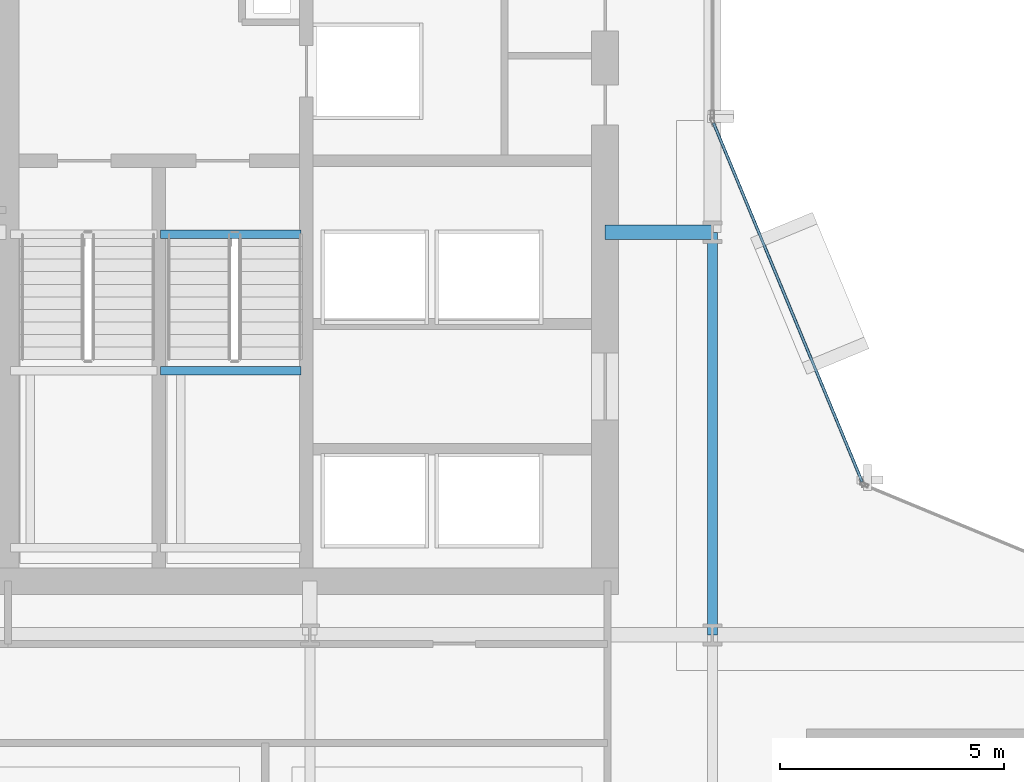
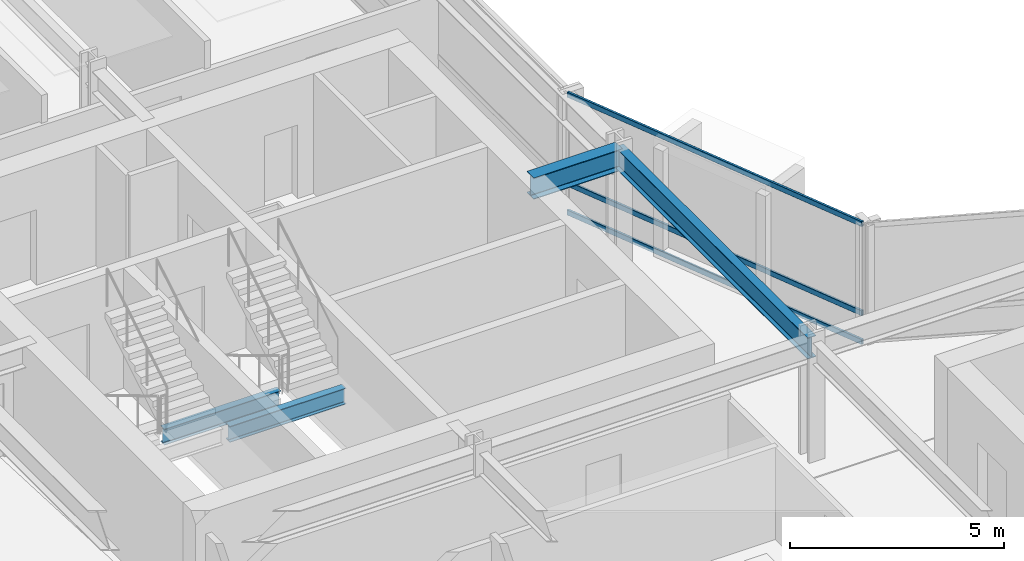
# One storey, part 20 of 34: 4 beams, 3 members, 1 element without a shape of its own.
"""IFC4 building model written with IfcOpenShell, lengths in metres."""

import ifcopenshell
import ifcopenshell.guid

model = None  # the IFC model being written
_history = None  # IfcOwnerHistory: only IFC2X3 demands one
_inside = {}  # id of a spatial element -> (the spatial element, [elements in it])
_under = {}  # id of a project, library or spatial element -> (it, [spatial elements below it])
_declared = {}  # id of a project -> (the project, [libraries it declares])
_typed = {}  # id of a type object -> (the type object, [elements of that type])
_made_of = {}  # id of a material, layer set ... -> (it, [elements and type objects made of it])


def new_model(schema):
    """Start an empty IFC model of exactly this schema.

    Asked for "IFC4X3", IfcOpenShell would pick the latest addendum, in which some entities
    have other attributes; the version numbers below select the first issue.
    IFC2X3 requires an IfcOwnerHistory on every rooted entity: one is made here for all.
    """
    global model, _history
    if schema == "IFC4X3":
        model = ifcopenshell.file(schema_version=(4, 3, 0, 0))
    else:
        model = ifcopenshell.file(schema=schema)
    _inside.clear()
    _under.clear()
    _declared.clear()
    _typed.clear()
    _made_of.clear()
    _history = None
    if model.schema == "IFC2X3":
        org = make("IfcOrganization", Name="unknown")
        user = make(
            "IfcPersonAndOrganization",
            ThePerson=make("IfcPerson", FamilyName="unknown"),
            TheOrganization=org,
        )
        app = make(
            "IfcApplication",
            ApplicationDeveloper=org,
            Version="unknown",
            ApplicationFullName="unknown",
            ApplicationIdentifier="unknown",
        )
        _history = make(
            "IfcOwnerHistory",
            OwningUser=user,
            OwningApplication=app,
            ChangeAction="ADDED",
            CreationDate=0,
        )
    return model


def make(cls, **values):
    """One entity of the class cls with the attributes given. An attribute that is None is left unset."""
    return model.create_entity(
        cls, **{name: value for name, value in values.items() if value is not None}
    )


def rooted(cls, **values):
    """An entity with a GlobalId (a new one), such as an element, a storey or a relation."""
    return make(cls, GlobalId=ifcopenshell.guid.new(), OwnerHistory=_history, **values)


def si_unit(unit_type, name, prefix=None):
    """IfcSIUnit, for example si_unit("LENGTHUNIT", "METRE", prefix="MILLI")."""
    return make("IfcSIUnit", UnitType=unit_type, Prefix=prefix, Name=name)


def assignment(units):
    """IfcUnitAssignment: the units of a project."""
    return None if units is None else make("IfcUnitAssignment", Units=units)


def point(xyz):
    """IfcCartesianPoint."""
    return None if xyz is None else make("IfcCartesianPoint", Coordinates=xyz)


def direction(xyz):
    """IfcDirection."""
    return None if xyz is None else make("IfcDirection", DirectionRatios=xyz)


def frame(location, z_axis=None, x_axis=None):
    """IfcAxis2Placement3D, a coordinate frame: its origin and axes. An axis left out is left unset."""
    return make(
        "IfcAxis2Placement3D",
        Location=point(location),
        Axis=direction(z_axis),
        RefDirection=direction(x_axis),
    )


def frame_2d(location, x_axis=None):
    """IfcAxis2Placement2D, a coordinate frame in the plane: its origin and x axis."""
    return make(
        "IfcAxis2Placement2D", Location=point(location), RefDirection=direction(x_axis)
    )


def origin():
    """The frame at (0, 0, 0) with its axes left unset."""
    return frame((0.0, 0.0, 0.0))


def origin_2d():
    """The frame at (0, 0) in the plane with its x axis left unset."""
    return frame_2d((0.0, 0.0))


def place(relative_to, where):
    """IfcLocalPlacement: puts the frame where relative to a parent placement (None: the world)."""
    return make(
        "IfcLocalPlacement", PlacementRelTo=relative_to, RelativePlacement=where
    )


def context(
    kind, dimensions, precision=None, world=None, true_north=None, identifier=None
):
    """IfcGeometricRepresentationContext, for example the 3D "Model" context."""
    return make(
        "IfcGeometricRepresentationContext",
        ContextIdentifier=identifier,
        ContextType=kind,
        CoordinateSpaceDimension=dimensions,
        Precision=precision,
        WorldCoordinateSystem=world,
        TrueNorth=true_north,
    )


def subcontext(parent, identifier, kind, view, scale=None):
    """IfcGeometricRepresentationSubContext, for example "Body" below "Model"."""
    return make(
        "IfcGeometricRepresentationSubContext",
        ContextIdentifier=identifier,
        ContextType=kind,
        ParentContext=parent,
        TargetScale=scale,
        TargetView=view,
    )


def project(units=None, contexts=None):
    """IfcProject with its units and contexts."""
    return rooted(
        "IfcProject",
        Name="project",
        RepresentationContexts=contexts,
        UnitsInContext=assignment(units),
    )


def spatial(cls, under=None, at=None, **own):
    """A site, building, storey or space (cls), placed at a placement, below another one or the project."""
    s = rooted(cls, ObjectPlacement=at, **own)
    if under is not None:
        _under.setdefault(under.id(), (under, []))[1].append(s)
    return s


def profile(cls, at=None, kind="AREA", **sizes):
    """A parametric profile (cls). Its sizes go by their IFC names, for example OverallWidth=200.0."""
    return make(cls, ProfileType=kind, Position=at, **sizes)


def hollow_rectangle(**sizes):
    """IfcRectangleHollowProfileDef."""
    return profile("IfcRectangleHollowProfileDef", **sizes)


def i_section(**sizes):
    """IfcIShapeProfileDef."""
    return profile("IfcIShapeProfileDef", **sizes)


def extrude(swept, where, along, depth):
    """IfcExtrudedAreaSolid: the profile swept, set in the frame where, extruded along a direction by depth."""
    return make(
        "IfcExtrudedAreaSolid",
        SweptArea=swept,
        Position=where,
        ExtrudedDirection=direction(along),
        Depth=depth,
    )


def shape(context_of_items, identifier, shape_type, items):
    """IfcShapeRepresentation: the items that make up one representation, for example the "Body"."""
    return make(
        "IfcShapeRepresentation",
        ContextOfItems=context_of_items,
        RepresentationIdentifier=identifier,
        RepresentationType=shape_type,
        Items=items,
    )


def material(Name=None, Category=None):
    """IfcMaterial."""
    return make("IfcMaterial", Name=Name, Category=Category)


def layer(
    of_material, thickness, ventilated=None, Name=None, Category=None, Priority=None
):
    """IfcMaterialLayer: one layer of a wall or slab, of a material (None: an air gap)."""
    return make(
        "IfcMaterialLayer",
        Material=of_material,
        LayerThickness=thickness,
        IsVentilated=ventilated,
        Name=Name,
        Category=Category,
        Priority=Priority,
    )


def layer_set(layers, Name=None):
    """IfcMaterialLayerSet."""
    return make("IfcMaterialLayerSet", MaterialLayers=layers, LayerSetName=Name)


def material_profile(
    of_material, cross_section, Name=None, Category=None, Priority=None
):
    """IfcMaterialProfile: a cross section and its material."""
    return make(
        "IfcMaterialProfile",
        Name=Name,
        Material=of_material,
        Profile=cross_section,
        Priority=Priority,
        Category=Category,
    )


def profile_set(profiles, Name=None, composite=None):
    """IfcMaterialProfileSet."""
    return make(
        "IfcMaterialProfileSet",
        Name=Name,
        MaterialProfiles=profiles,
        CompositeProfile=composite,
    )


def made_of(thing, what):
    """Note that an element or type object is made of a material, layer set ...; save() writes the relation."""
    if what is not None:
        _made_of.setdefault(what.id(), (what, []))[1].append(thing)
    return thing


def type_object(cls, material=None, **own):
    """A type object (cls), such as IfcWallType, which elements share."""
    return made_of(rooted(cls, **own), material)


def element(
    cls,
    number,
    at=None,
    inside=None,
    cuts=None,
    type_object=None,
    material=None,
    context=None,
    identifier="Body",
    shape_type=None,
    held_by="IfcProductDefinitionShape",
    body=None,
    shapes=None,
    **own,
):
    """One element of the class cls, such as IfcWall. Its Tag is "e" and its number.

    at: its placement. inside: the storey or other place that contains it. cuts: it is an
    opening in that element (IfcRelVoidsElement). A single representation is given by context,
    identifier, shape_type and body (its items); several are given by shapes. held_by: the class
    of the entity that holds the representations. save() writes the other relations.
    """
    e = rooted(cls, Tag="e%d" % number, ObjectPlacement=at, **own)
    if body is not None:
        shapes = [shape(context, identifier, shape_type, body)]
    if shapes is not None:
        e.Representation = make(held_by, Representations=shapes)
    if inside is not None:
        _inside.setdefault(inside.id(), (inside, []))[1].append(e)
    if cuts is not None:
        rooted(
            "IfcRelVoidsElement", RelatingBuildingElement=cuts, RelatedOpeningElement=e
        )
    if type_object is not None:
        _typed.setdefault(type_object.id(), (type_object, []))[1].append(e)
    return made_of(e, material)


def aggregate(whole, parts):
    """IfcRelAggregates: a whole, such as a stair, and the parts it consists of."""
    return rooted("IfcRelAggregates", RelatingObject=whole, RelatedObjects=parts)


def save(model, path):
    """Write the relations noted so far, then the file.

    IfcRelAggregates (storeys below a building ...), IfcRelContainedInSpatialStructure (elements
    in a storey), IfcRelDefinesByType, IfcRelAssociatesMaterial and IfcRelDeclares: one each for
    every whole, place, type object, material and project.
    """
    for whole, parts in _under.values():
        aggregate(whole, parts)
    for where, things in _inside.values():
        rooted(
            "IfcRelContainedInSpatialStructure",
            RelatedElements=things,
            RelatingStructure=where,
        )
    for kind, things in _typed.values():
        rooted("IfcRelDefinesByType", RelatedObjects=things, RelatingType=kind)
    for what, things in _made_of.values():
        rooted("IfcRelAssociatesMaterial", RelatedObjects=things, RelatingMaterial=what)
    for by, libraries in _declared.values():
        rooted("IfcRelDeclares", RelatingContext=by, RelatedDefinitions=libraries)
    model.write(path)


model = new_model("IFC4")

# Units and contexts
model_context = context("Model", 3, precision=1e-05, world=origin(), true_north=direction((0.0, 1.0)))
body_context = subcontext(model_context, "Body", "Model", "MODEL_VIEW")
ifc_project = project(units=[si_unit("LENGTHUNIT", "METRE"), si_unit("AREAUNIT", "SQUARE_METRE"), si_unit("VOLUMEUNIT", "CUBIC_METRE"), si_unit("PLANEANGLEUNIT", "RADIAN"), si_unit("MASSUNIT", "GRAM", prefix="KILO")], contexts=[model_context])

# Site, building, storey
site_placement = place(None, origin())
site = spatial("IfcSite", under=ifc_project, at=site_placement, CompositionType="ELEMENT")
building_placement = place(site_placement, origin())
building = spatial("IfcBuilding", under=site, at=building_placement, Name="Solvaryn Broadcast Tower", CompositionType="ELEMENT")
storey_placement = place(building_placement, frame((0.0, 0.0, 50.800048828125)))
storey = spatial("IfcBuildingStorey", under=building, at=storey_placement, Name="L11", CompositionType="ELEMENT", Elevation=50.800048828125)

# Beams
ifc_material_1 = material(Name="Steel ASTM A992 Grade 50", Category="steel")
ifc_material_profile_1 = material_profile(ifc_material_1, i_section(OverallWidth=0.323974609375, OverallDepth=0.611083984375, WebThickness=0.0126953125, FlangeThickness=0.01904296875, FilletRadius=0.014892578125, at=origin_2d()))
ifc_profile_set_1 = profile_set([ifc_material_profile_1], Name="Steel ASTM A992 Grade 50")
beam_type_1 = type_object("IfcBeamType", Name="BM-B1-W24X104", PredefinedType="BEAM", material=ifc_profile_set_1)
beam_1_placement = place(storey_placement, frame((24.60009765625, 36.0, 3.114501953125), z_axis=(1.0, 0.0, 0.0), x_axis=(0.0, 1.0, 0.0)))
element("IfcBeam", 1, at=beam_1_placement, inside=storey, type_object=beam_type_1, Name="L11 Core Tie Beam CTW2", PredefinedType="BEAM", context=body_context, shape_type="SweptSolid", body=[
    extrude(i_section(OverallWidth=0.323974609375, OverallDepth=0.611083984375, WebThickness=0.0126953125, FlangeThickness=0.01904296875, FilletRadius=0.014892578125, at=origin_2d()), origin(), (0.0, 0.0, 1.0), 2.39990234375),
])
ifc_material_2 = material(Name="Steel ASTM A992 Grade 50", Category="steel")
ifc_material_profile_2 = material_profile(ifc_material_2, i_section(OverallWidth=0.22802734375, OverallDepth=0.60791015625, WebThickness=0.01123046875, FlangeThickness=0.017333984375, FilletRadius=0.014892578125, at=origin_2d()))
ifc_profile_set_2 = profile_set([ifc_material_profile_2], Name="Steel ASTM A992 Grade 50")
beam_type_2 = type_object("IfcBeamType", Name="BM-B2-W24X76", PredefinedType="BEAM", material=ifc_profile_set_2)
beam_2_placement = place(storey_placement, frame((27.0, 27.0, 3.115966796875), z_axis=(0.0, 1.0, 0.0), x_axis=(-1.0, 0.0, 0.0)))
element("IfcBeam", 2, at=beam_2_placement, inside=storey, type_object=beam_type_2, Name="L11 Primary Beam Y (27-36 @ X=27)", PredefinedType="BEAM", context=body_context, shape_type="SweptSolid", body=[
    extrude(i_section(OverallWidth=0.22802734375, OverallDepth=0.60791015625, WebThickness=0.01123046875, FlangeThickness=0.017333984375, FilletRadius=0.014892578125, at=origin_2d()), origin(), (0.0, 0.0, 1.0), 9.0),
])
ifc_material_3 = material(Name="Steel ASTM A992 Grade 50", Category="steel")
ifc_material_profile_3 = material_profile(ifc_material_3, i_section(OverallWidth=0.18994140625, OverallDepth=0.45703125, WebThickness=0.009033203125, FlangeThickness=0.014404296875, FilletRadius=0.011962890625, at=origin_2d()))
ifc_profile_set_3 = profile_set([ifc_material_profile_3], Name="Steel ASTM A992 Grade 50")
beam_type_3 = type_object("IfcBeamType", Name="BM-B4-W18X50", PredefinedType="BEAM", material=ifc_profile_set_3)
for number, where, z_axis, x_axis, name in (
    (3, (14.659912109375, 35.9599609375, -0.508544921875), (1.0, 0.0, 0.0), (0.0, 1.0, 0.0), "L11 ST2 Stair Well Trimmer Beam"),
    (4, (14.659912109375, 32.909912109375, 1.42138671875), (1.0, 0.0, 0.0), (0.0, 1.0, 0.0), "L11 ST2 Landing Support Beam 1B"),
):
    element("IfcBeam", number, at=place(storey_placement, frame(where, z_axis=z_axis, x_axis=x_axis)), inside=storey, type_object=beam_type_3, Name=name, PredefinedType="BEAM", context=body_context, shape_type="SweptSolid", body=[
        extrude(i_section(OverallWidth=0.18994140625, OverallDepth=0.45703125, WebThickness=0.009033203125, FlangeThickness=0.014404296875, FilletRadius=0.011962890625, at=origin_2d()), origin(), (0.0, 0.0, 1.0), 3.14013671875),
    ])

# Curtain wall, members
ifc_material_4 = material(Name="Aluminium and Terracotta Unitised Curtain Wall", Category="masonry")
ifc_layer = layer(ifc_material_4, 0.199951171875)
ifc_layer_set = layer_set([ifc_layer], Name="CW-SYS2-LOWMID")
curtain_wall_type = type_object("IfcCurtainWallType", Name="CW-SYS2-LOWMID", PredefinedType="NOTDEFINED", material=ifc_layer_set)
curtain_wall_placement = place(storey_placement, origin())
curtain_wall = element("IfcCurtainWall", 5, at=curtain_wall_placement, inside=storey, type_object=curtain_wall_type, Name="L11 Curtain Wall CN2", PredefinedType="NOTDEFINED")
ifc_material_5 = material(Name="Anodised Aluminium 6063-T6", Category="aluminium")
ifc_material_profile_4 = material_profile(ifc_material_5, hollow_rectangle(XDim=0.06494140625, YDim=0.14990234375, WallThickness=0.00390625, InnerFilletRadius=0.00390625, OuterFilletRadius=0.008056640625, at=origin_2d()))
ifc_profile_set_4 = profile_set([ifc_material_profile_4], Name="Anodised Aluminium 6063-T6")
member_type = type_object("IfcMemberType", Name="CW-TRN-150", PredefinedType="USERDEFINED", material=ifc_profile_set_4)
member_1_placement = place(storey_placement, frame((30.344970703125, 30.42333984375, 0.030029296875), z_axis=(-0.382635748975, 0.923899282177, 0.0), x_axis=(-0.923899282177, -0.382635748975, 0.0)))
member_1 = element("IfcMember", 6, at=member_1_placement, type_object=member_type, Name="CWS2 transom 1.1", ObjectType="TRANSOM", PredefinedType="USERDEFINED", context=body_context, shape_type="SweptSolid", body=[
    extrude(hollow_rectangle(XDim=0.06494140625, YDim=0.14990234375, WallThickness=0.00390625, InnerFilletRadius=0.00390625, OuterFilletRadius=0.008056640625, at=origin_2d()), origin(), (0.0, 0.0, 1.0), 8.681884765625),
])
member_2_placement = place(storey_placement, frame((30.344970703125, 30.42333984375, 0.849853515625), z_axis=(-0.382635748975, 0.923899282177, 0.0), x_axis=(-0.923899282177, -0.382635748975, 0.0)))
member_2 = element("IfcMember", 7, at=member_2_placement, type_object=member_type, Name="CWS2 transom 1.2", ObjectType="TRANSOM", PredefinedType="USERDEFINED", context=body_context, shape_type="SweptSolid", body=[
    extrude(hollow_rectangle(XDim=0.06494140625, YDim=0.14990234375, WallThickness=0.00390625, InnerFilletRadius=0.00390625, OuterFilletRadius=0.008056640625, at=origin_2d()), origin(), (0.0, 0.0, 1.0), 8.681884765625),
])
member_3_placement = place(storey_placement, frame((30.344970703125, 30.42333984375, 3.389892578125), z_axis=(-0.382635748975, 0.923899282177, 0.0), x_axis=(-0.923899282177, -0.382635748975, 0.0)))
member_3 = element("IfcMember", 8, at=member_3_placement, type_object=member_type, Name="CWS2 transom 1.3", ObjectType="TRANSOM", PredefinedType="USERDEFINED", context=body_context, shape_type="SweptSolid", body=[
    extrude(hollow_rectangle(XDim=0.06494140625, YDim=0.14990234375, WallThickness=0.00390625, InnerFilletRadius=0.00390625, OuterFilletRadius=0.008056640625, at=origin_2d()), origin(), (0.0, 0.0, 1.0), 8.681884765625),
])
aggregate(curtain_wall, [member_1, member_2, member_3])

save(model, "model.ifc")
